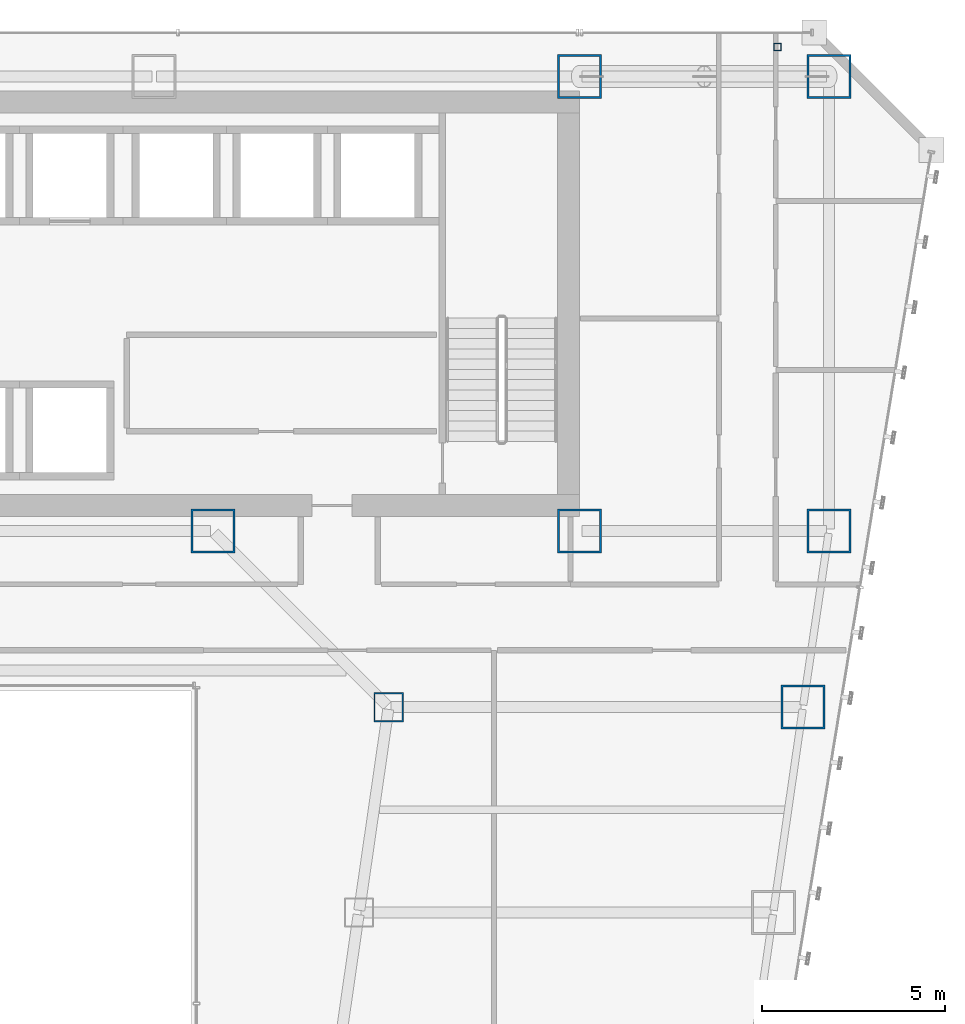
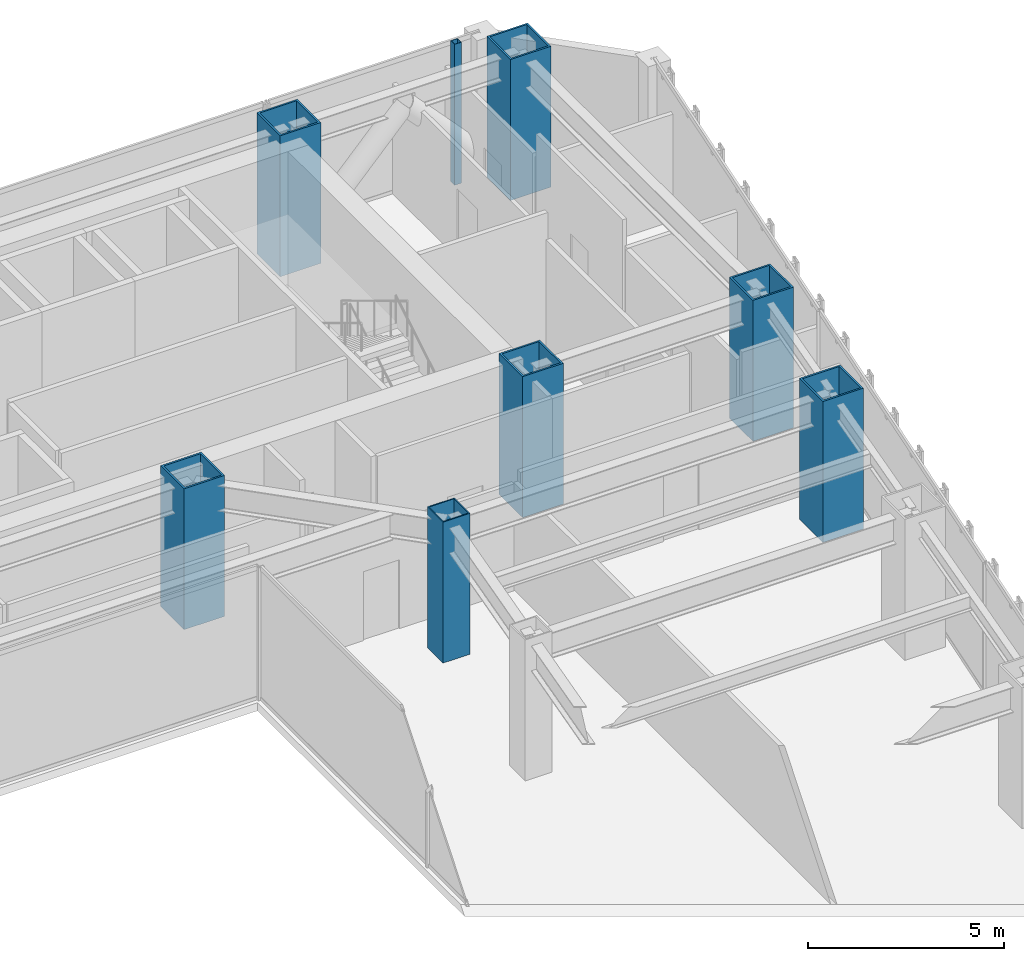
# One storey, part 3 of 47: 8 columns.
"""IFC4 building model written with IfcOpenShell, lengths in metres."""

from ifc_helpers import new_model, si_unit, direction, frame, origin, origin_2d, place, context, subcontext, project, spatial, hollow_rectangle, extrude, material, material_profile, profile_set, type_object, element, save


model = new_model("IFC4")

# Units and contexts
model_context = context("Model", 3, precision=1e-05, world=origin(), true_north=direction((0.0, 1.0)))
body_context = subcontext(model_context, "Body", "Model", "MODEL_VIEW")
ifc_project = project(units=[si_unit("LENGTHUNIT", "METRE"), si_unit("AREAUNIT", "SQUARE_METRE"), si_unit("VOLUMEUNIT", "CUBIC_METRE"), si_unit("PLANEANGLEUNIT", "RADIAN"), si_unit("MASSUNIT", "GRAM", prefix="KILO")], contexts=[model_context])

# Site, building, storey
site_placement = place(None, origin())
site = spatial("IfcSite", under=ifc_project, at=site_placement, CompositionType="ELEMENT")
building_placement = place(site_placement, origin())
building = spatial("IfcBuilding", under=site, at=building_placement, Name="Saevonmaru Cultural Tower", CompositionType="ELEMENT")
storey_placement = place(building_placement, frame((0.0, 0.0, 47.199951171875)))
storey = spatial("IfcBuildingStorey", under=building, at=storey_placement, Name="L09", CompositionType="ELEMENT", Elevation=47.199951171875)

# Columns
ifc_material_1 = material(Name="Steel HSA600 (600 MPa)", Category="steel")
ifc_material_profile_1 = material_profile(ifc_material_1, hollow_rectangle(XDim=1.199951171875, YDim=1.199951171875, WallThickness=0.054931640625, at=origin_2d()), Name="BOX-1200x1200x55")
ifc_profile_set_1 = profile_set([ifc_material_profile_1], Name="Steel HSA600 (600 MPa)")
column_type_1 = type_object("IfcColumnType", Name="COL-BOX-1200", PredefinedType="COLUMN", material=ifc_profile_set_1)
for number, where, z_axis, x_axis, name in (
    (1, (46.39990234375, 54.800048828125, 0.0), (0.0, 0.0, 1.0), (1.0, 0.0, 0.0), "L09 Column TC-N5N"),
    (2, (53.199951171875, 54.800048828125, 0.0), (0.0, 0.0, 1.0), (1.0, 0.0, 0.0), "L09 Column TC-N6N"),
    (3, (36.39990234375, 42.39990234375, 0.0), (0.0, 0.0, 1.0), (1.0, 0.0, 0.0), "L09 Column TC-S4C"),
    (4, (46.39990234375, 42.39990234375, 0.0), (0.0, 0.0, 1.0), (1.0, 0.0, 0.0), "L09 Column TC-S5C"),
    (5, (53.199951171875, 42.39990234375, 0.0), (0.0, 0.0, 1.0), (1.0, 0.0, 0.0), "L09 Column TC-S6C"),
    (6, (52.491943359375, 37.60009765625, 0.0), (0.0, 0.0, 1.0), (1.0, 0.0, 0.0), "L09 Column TC-EO-Y376"),
):
    element("IfcColumn", number, at=place(storey_placement, frame(where, z_axis=z_axis, x_axis=x_axis)), inside=storey, type_object=column_type_1, Name=name, PredefinedType="COLUMN", context=body_context, shape_type="SweptSolid", body=[
        extrude(hollow_rectangle(XDim=1.199951171875, YDim=1.199951171875, WallThickness=0.054931640625, at=origin_2d()), origin(), (0.0, 0.0, 1.0), 4.400146484375),
    ])
ifc_material_2 = material(Name="Steel SM420", Category="steel")
ifc_material_profile_2 = material_profile(ifc_material_2, hollow_rectangle(XDim=0.800048828125, YDim=0.800048828125, WallThickness=0.035888671875, at=origin_2d()), Name="BOX-800x800x36")
ifc_profile_set_2 = profile_set([ifc_material_profile_2], Name="Steel SM420")
column_type_2 = type_object("IfcColumnType", Name="COL-BOX-800", PredefinedType="COLUMN", material=ifc_profile_set_2)
column_1_placement = place(storey_placement, frame((41.19189453125, 37.60009765625, 0.0), z_axis=(0.0, 0.0, 1.0), x_axis=(1.0, 0.0, 0.0)))
element("IfcColumn", 7, at=column_1_placement, inside=storey, type_object=column_type_2, Name="L09 Column TC-EI-Y376", PredefinedType="COLUMN", context=body_context, shape_type="SweptSolid", body=[
    extrude(hollow_rectangle(XDim=0.800048828125, YDim=0.800048828125, WallThickness=0.035888671875, at=origin_2d()), origin(), (0.0, 0.0, 1.0), 4.400146484375),
])
ifc_material_3 = material(Name="Steel SM355", Category="steel")
ifc_material_profile_3 = material_profile(ifc_material_3, hollow_rectangle(XDim=0.199951171875, YDim=0.199951171875, WallThickness=0.010009765625, at=origin_2d()), Name="SHS-200x200x10")
ifc_profile_set_3 = profile_set([ifc_material_profile_3], Name="Steel SM355")
column_type_3 = type_object("IfcColumnType", Name="PIL-SHS-200", PredefinedType="PILASTER", material=ifc_profile_set_3)
column_2_placement = place(storey_placement, frame((51.800048828125, 55.60009765625, 0.0), z_axis=(0.0, 0.0, 1.0), x_axis=(1.0, 0.0, 0.0)))
element("IfcColumn", 8, at=column_2_placement, inside=storey, type_object=column_type_3, Name="L09 Art Deco Bronze-Clad Pilaster PIL-NE", PredefinedType="PILASTER", context=body_context, shape_type="SweptSolid", body=[
    extrude(hollow_rectangle(XDim=0.199951171875, YDim=0.199951171875, WallThickness=0.010009765625, at=origin_2d()), origin(), (0.0, 0.0, 1.0), 4.400146484375),
])

save(model, "model.ifc")
